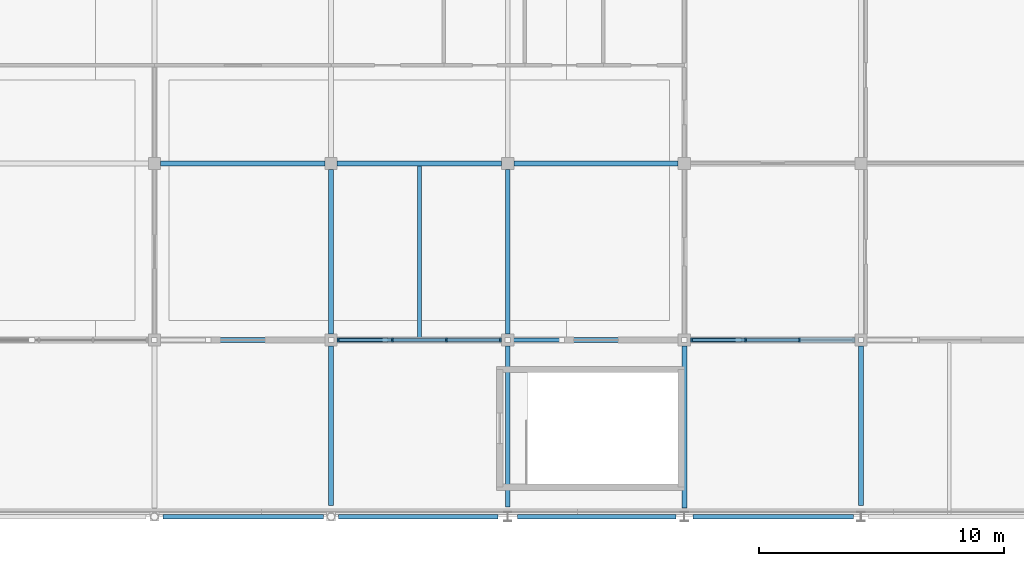
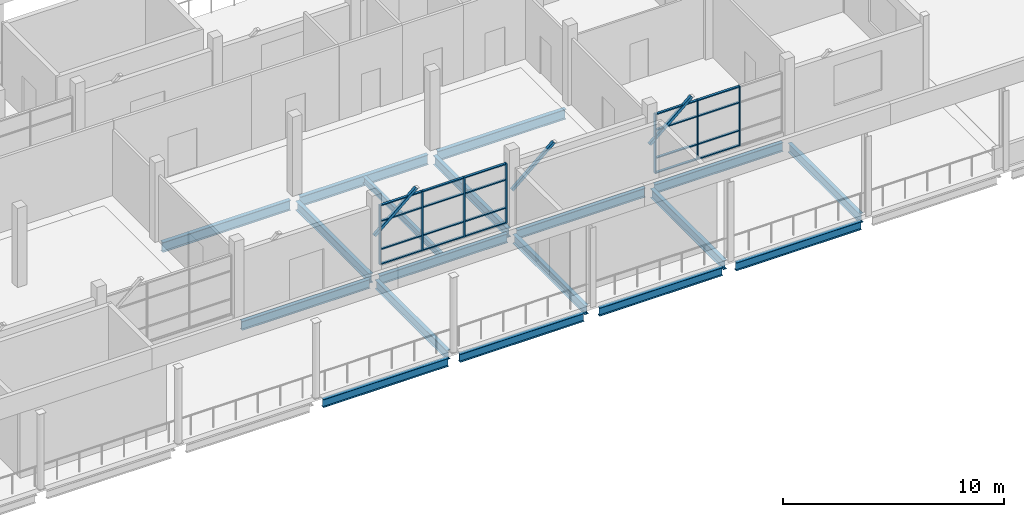
# One storey, part 9 of 32: 30 members, 18 beams, 2 elements without a shape of their own.
"""IFC4 building model written with IfcOpenShell, lengths in metres."""

from ifc_helpers import new_model, si_unit, direction, frame, origin, origin_2d, place, context, subcontext, project, spatial, rectangle, hollow_rectangle, i_section, extrude, material, material_profile, profile_set, type_object, element, aggregate, save


model = new_model("IFC4")

# Units and contexts
model_context = context("Model", 3, precision=1e-05, world=origin(), true_north=direction((0.0, 1.0)))
body_context = subcontext(model_context, "Body", "Model", "MODEL_VIEW")
ifc_project = project(units=[si_unit("LENGTHUNIT", "METRE"), si_unit("AREAUNIT", "SQUARE_METRE"), si_unit("VOLUMEUNIT", "CUBIC_METRE"), si_unit("PLANEANGLEUNIT", "RADIAN"), si_unit("MASSUNIT", "GRAM", prefix="KILO")], contexts=[model_context])

# Site, building, storey
site_placement = place(None, origin())
site = spatial("IfcSite", under=ifc_project, at=site_placement, CompositionType="ELEMENT")
building_placement = place(site_placement, origin())
building = spatial("IfcBuilding", under=site, at=building_placement, Name="Sardonyx Promenade Sports Hall", CompositionType="ELEMENT")
storey_placement = place(building_placement, frame((0.0, 0.0, 20.39990234375)))
storey = spatial("IfcBuildingStorey", under=building, at=storey_placement, Name="L04", CompositionType="ELEMENT", Elevation=20.39990234375)

# Beams
ifc_material_1 = material(Name="Steel S355JR", Category="steel")
ifc_material_profile_1 = material_profile(ifc_material_1, i_section(OverallWidth=0.169921875, OverallDepth=0.360107421875, WebThickness=0.008056640625, FlangeThickness=0.0126953125, at=origin_2d()))
ifc_profile_set_1 = profile_set([ifc_material_profile_1], Name="Steel S355JR")
beam_type_1 = type_object("IfcBeamType", Name="Bm_Joist_IPE360", PredefinedType="JOIST", material=ifc_profile_set_1)
beam_1_placement = place(storey_placement, frame((39.60009765625, 7.300048828125, -0.449951171875), z_axis=(0.0, 1.0, 0.0), x_axis=(-1.0, 0.0, 0.0)))
element("IfcBeam", 1, at=beam_1_placement, inside=storey, type_object=beam_type_1, Name="Secondary joist SJ05 L04 #1095", PredefinedType="JOIST", context=body_context, shape_type="SweptSolid", body=[
    extrude(i_section(OverallWidth=0.169921875, OverallDepth=0.360107421875, WebThickness=0.008056640625, FlangeThickness=0.0126953125, at=origin_2d()), origin(), (0.0, 0.0, 1.0), 6.994873046875),
])
ifc_material_2 = material(Name="Steel S355JR", Category="steel")
ifc_material_profile_2 = material_profile(ifc_material_2, i_section(OverallWidth=0.199951171875, OverallDepth=0.5, WebThickness=0.01025390625, FlangeThickness=0.01611328125, at=origin_2d()))
ifc_profile_set_2 = profile_set([ifc_material_profile_2], Name="Steel S355JR")
beam_type_2 = type_object("IfcBeamType", Name="Bm_Primary_IPE500", PredefinedType="BEAM", material=ifc_profile_set_2)
for number, where, z_axis, x_axis, name in (
    (2, (29.050048828125, 7.199951171875, -0.52001953125), (1.0, 0.0, 0.0), (0.0, 1.0, 0.0), "Beam SB06 L04 #955"),
    (3, (36.25, 7.199951171875, -0.52001953125), (1.0, 0.0, 0.0), (0.0, 1.0, 0.0), "Beam SB06 L04 #956"),
    (4, (43.449951171875, 7.199951171875, -0.52001953125), (1.0, 0.0, 0.0), (0.0, 1.0, 0.0), "Beam SB06 L04 #957"),
):
    element("IfcBeam", number, at=place(storey_placement, frame(where, z_axis=z_axis, x_axis=x_axis)), inside=storey, type_object=beam_type_2, Name=name, PredefinedType="BEAM", context=body_context, shape_type="SweptSolid", body=[
        extrude(i_section(OverallWidth=0.199951171875, OverallDepth=0.5, WebThickness=0.01025390625, FlangeThickness=0.01611328125, at=origin_2d()), origin(), (0.0, 0.0, 1.0), 6.699951171875),
    ])
beam_2_placement = place(storey_placement, frame((50.64990234375, 7.199951171875, -0.52001953125), z_axis=(1.0, 0.0, 0.0), x_axis=(0.0, 1.0, 0.0)))
element("IfcBeam", 5, at=beam_2_placement, inside=storey, type_object=beam_type_2, Name="Beam SB06 L04 #958", PredefinedType="BEAM", context=body_context, shape_type="SweptSolid", body=[
    extrude(i_section(OverallWidth=0.199951171875, OverallDepth=0.5, WebThickness=0.01025390625, FlangeThickness=0.01611328125, at=origin_2d()), origin(), (0.0, 0.0, 1.0), 6.7001953125),
])
beam_3_placement = place(storey_placement, frame((36.0, 0.449951171875, -0.510009765625), z_axis=(0.0, 1.0, 0.0), x_axis=(-1.0, 0.0, 0.0)))
element("IfcBeam", 6, at=beam_3_placement, inside=storey, type_object=beam_type_2, Name="Beam SB06 L04 #1048", PredefinedType="BEAM", context=body_context, shape_type="SweptSolid", body=[
    extrude(i_section(OverallWidth=0.199951171875, OverallDepth=0.5, WebThickness=0.01025390625, FlangeThickness=0.01611328125, at=origin_2d()), origin(), (0.0, 0.0, 1.0), 6.5),
])
beam_4_placement = place(storey_placement, frame((36.0, 7.449951171875, -0.52001953125), z_axis=(0.0, 1.0, 0.0), x_axis=(-1.0, 0.0, 0.0)))
element("IfcBeam", 7, at=beam_4_placement, inside=storey, type_object=beam_type_2, Name="Beam SB06 L04 #1049", PredefinedType="BEAM", context=body_context, shape_type="SweptSolid", body=[
    extrude(i_section(OverallWidth=0.199951171875, OverallDepth=0.5, WebThickness=0.01025390625, FlangeThickness=0.01611328125, at=origin_2d()), origin(), (0.0, 0.0, 1.0), 6.699951171875),
])
beam_5_placement = place(storey_placement, frame((43.199951171875, 0.39990234375, -0.510009765625), z_axis=(0.0, 1.0, 0.0), x_axis=(-1.0, 0.0, 0.0)))
element("IfcBeam", 8, at=beam_5_placement, inside=storey, type_object=beam_type_2, Name="Beam SB06 L04 #1052", PredefinedType="BEAM", context=body_context, shape_type="SweptSolid", body=[
    extrude(i_section(OverallWidth=0.199951171875, OverallDepth=0.5, WebThickness=0.01025390625, FlangeThickness=0.01611328125, at=origin_2d()), origin(), (0.0, 0.0, 1.0), 6.550048828125),
])
beam_6_placement = place(storey_placement, frame((43.199951171875, 7.449951171875, -0.52001953125), z_axis=(0.0, 1.0, 0.0), x_axis=(-1.0, 0.0, 0.0)))
element("IfcBeam", 9, at=beam_6_placement, inside=storey, type_object=beam_type_2, Name="Beam SB06 L04 #1053", PredefinedType="BEAM", context=body_context, shape_type="SweptSolid", body=[
    extrude(i_section(OverallWidth=0.199951171875, OverallDepth=0.5, WebThickness=0.01025390625, FlangeThickness=0.01611328125, at=origin_2d()), origin(), (0.0, 0.0, 1.0), 6.699951171875),
])
beam_7_placement = place(storey_placement, frame((50.39990234375, 0.35009765625, -0.510009765625), z_axis=(0.0, 1.0, 0.0), x_axis=(-1.0, 0.0, 0.0)))
element("IfcBeam", 10, at=beam_7_placement, inside=storey, type_object=beam_type_2, Name="Beam SB06 L04 #1056", PredefinedType="BEAM", context=body_context, shape_type="SweptSolid", body=[
    extrude(i_section(OverallWidth=0.199951171875, OverallDepth=0.5, WebThickness=0.01025390625, FlangeThickness=0.01611328125, at=origin_2d()), origin(), (0.0, 0.0, 1.0), 6.599853515625),
])
beam_8_placement = place(storey_placement, frame((57.60009765625, 0.449951171875, -0.510009765625), z_axis=(0.0, 1.0, 0.0), x_axis=(-1.0, 0.0, 0.0)))
element("IfcBeam", 11, at=beam_8_placement, inside=storey, type_object=beam_type_2, Name="Beam SB06 L04 #1060", PredefinedType="BEAM", context=body_context, shape_type="SweptSolid", body=[
    extrude(i_section(OverallWidth=0.199951171875, OverallDepth=0.5, WebThickness=0.01025390625, FlangeThickness=0.01611328125, at=origin_2d()), origin(), (0.0, 0.0, 1.0), 6.5),
])
ifc_material_3 = material(Name="Steel S355JR", Category="steel")
ifc_material_profile_3 = material_profile(ifc_material_3, i_section(OverallWidth=0.2099609375, OverallDepth=0.550048828125, WebThickness=0.010986328125, FlangeThickness=0.01708984375, at=origin_2d()))
ifc_profile_set_3 = profile_set([ifc_material_profile_3], Name="Steel S355JR")
beam_type_3 = type_object("IfcBeamType", Name="Bm_Primary_IPE550", PredefinedType="BEAM", material=ifc_profile_set_3)
for number, where, z_axis, x_axis, name in (
    (12, (29.050048828125, 14.39990234375, -0.544921875), (1.0, 0.0, 0.0), (0.0, 1.0, 0.0), "Beam SB03 L04 #970"),
    (13, (36.25, 14.39990234375, -0.544921875), (1.0, 0.0, 0.0), (0.0, 1.0, 0.0), "Beam SB03 L04 #971"),
    (14, (43.449951171875, 14.39990234375, -0.544921875), (1.0, 0.0, 0.0), (0.0, 1.0, 0.0), "Beam SB03 L04 #972"),
):
    element("IfcBeam", number, at=place(storey_placement, frame(where, z_axis=z_axis, x_axis=x_axis)), inside=storey, type_object=beam_type_3, Name=name, PredefinedType="BEAM", context=body_context, shape_type="SweptSolid", body=[
        extrude(i_section(OverallWidth=0.2099609375, OverallDepth=0.550048828125, WebThickness=0.010986328125, FlangeThickness=0.01708984375, at=origin_2d()), origin(), (0.0, 0.0, 1.0), 6.699951171875),
    ])
ifc_material_4 = material(Name="Steel S355JR", Category="steel")
ifc_material_profile_4 = material_profile(ifc_material_4, i_section(OverallWidth=0.18994140625, OverallDepth=0.449951171875, WebThickness=0.009521484375, FlangeThickness=0.0146484375, at=origin_2d()))
ifc_profile_set_4 = profile_set([ifc_material_profile_4], Name="Steel S355JR")
beam_type_4 = type_object("IfcBeamType", Name="Bm_Spandrel_Steel", PredefinedType="SPANDREL", material=ifc_profile_set_4)
beam_9_placement = place(storey_placement, frame((29.14990234375, 0.0, -0.48486328125), z_axis=(1.0, 0.0, 0.0), x_axis=(0.0, 1.0, 0.0)))
element("IfcBeam", 15, at=beam_9_placement, inside=storey, type_object=beam_type_4, Name="Beam SPB3 L04 #940", PredefinedType="SPANDREL", context=body_context, shape_type="SweptSolid", body=[
    extrude(i_section(OverallWidth=0.18994140625, OverallDepth=0.449951171875, WebThickness=0.009521484375, FlangeThickness=0.0146484375, at=origin_2d()), origin(), (0.0, 0.0, 1.0), 6.550048828125),
])
beam_10_placement = place(storey_placement, frame((36.300048828125, 0.0, -0.48486328125), z_axis=(1.0, 0.0, 0.0), x_axis=(0.0, 1.0, 0.0)))
element("IfcBeam", 16, at=beam_10_placement, inside=storey, type_object=beam_type_4, Name="Beam SPB3 L04 #941", PredefinedType="SPANDREL", context=body_context, shape_type="SweptSolid", body=[
    extrude(i_section(OverallWidth=0.18994140625, OverallDepth=0.449951171875, WebThickness=0.009521484375, FlangeThickness=0.0146484375, at=origin_2d()), origin(), (0.0, 0.0, 1.0), 6.5),
])
beam_11_placement = place(storey_placement, frame((43.60009765625, 0.0, -0.48486328125), z_axis=(1.0, 0.0, 0.0), x_axis=(0.0, 1.0, 0.0)))
element("IfcBeam", 17, at=beam_11_placement, inside=storey, type_object=beam_type_4, Name="Beam SPB3 L04 #942", PredefinedType="SPANDREL", context=body_context, shape_type="SweptSolid", body=[
    extrude(i_section(OverallWidth=0.18994140625, OverallDepth=0.449951171875, WebThickness=0.009521484375, FlangeThickness=0.0146484375, at=origin_2d()), origin(), (0.0, 0.0, 1.0), 6.449951171875),
])
beam_12_placement = place(storey_placement, frame((50.75, 0.0, -0.48486328125), z_axis=(1.0, 0.0, 0.0), x_axis=(0.0, 1.0, 0.0)))
element("IfcBeam", 18, at=beam_12_placement, inside=storey, type_object=beam_type_4, Name="Beam SPB3 L04 #943", PredefinedType="SPANDREL", context=body_context, shape_type="SweptSolid", body=[
    extrude(i_section(OverallWidth=0.18994140625, OverallDepth=0.449951171875, WebThickness=0.009521484375, FlangeThickness=0.0146484375, at=origin_2d()), origin(), (0.0, 0.0, 1.0), 6.550048828125),
])

# Curtain wall, members
ifc_material_5 = material(Name="Aluminium 6063-T6", Category="aluminium")
curtain_wall_type = type_object("IfcCurtainWallType", Name="CW_Pavilion_L04_640", PredefinedType="USERDEFINED", material=ifc_material_5)
curtain_wall_1_placement = place(storey_placement, origin())
curtain_wall_1 = element("IfcCurtainWall", 19, at=curtain_wall_1_placement, inside=storey, type_object=curtain_wall_type, Name="Curtain wall CW10 cw:L04:171", ObjectType="CURTAIN WALL", PredefinedType="USERDEFINED")
ifc_material_6 = material(Name="Aluminium 6063-T6", Category="aluminium")
ifc_material_profile_5 = material_profile(ifc_material_6, rectangle(XDim=0.06005859375, YDim=0.14990234375, at=origin_2d()))
ifc_profile_set_5 = profile_set([ifc_material_profile_5], Name="Aluminium 6063-T6")
member_type_1 = type_object("IfcMemberType", Name="CW_Mull_150", PredefinedType="MULLION", material=ifc_profile_set_5)
member_1_placement = place(storey_placement, frame((55.10009765625, 7.199951171875, 0.300048828125), z_axis=(0.0, 0.0, 1.0), x_axis=(-1.0, 0.0, 0.0)))
member_1 = element("IfcMember", 20, at=member_1_placement, type_object=member_type_1, Name="Mullion CM01 cw:L04:171 #2", PredefinedType="MULLION", context=body_context, shape_type="SweptSolid", body=[
    extrude(rectangle(XDim=0.06005859375, YDim=0.14990234375, at=origin_2d()), origin(), (0.0, 0.0, 1.0), 3.300048828125),
])
member_2_placement = place(storey_placement, frame((52.89990234375, 7.199951171875, 0.300048828125), z_axis=(0.0, 0.0, 1.0), x_axis=(-1.0, 0.0, 0.0)))
member_2 = element("IfcMember", 21, at=member_2_placement, type_object=member_type_1, Name="Mullion CM01 cw:L04:171 #3", PredefinedType="MULLION", context=body_context, shape_type="SweptSolid", body=[
    extrude(rectangle(XDim=0.06005859375, YDim=0.14990234375, at=origin_2d()), origin(), (0.0, 0.0, 1.0), 3.300048828125),
])
member_3_placement = place(storey_placement, frame((50.699951171875, 7.199951171875, 0.300048828125), z_axis=(0.0, 0.0, 1.0), x_axis=(-1.0, 0.0, 0.0)))
member_3 = element("IfcMember", 22, at=member_3_placement, type_object=member_type_1, Name="Mullion CM01 cw:L04:171 #4", PredefinedType="MULLION", context=body_context, shape_type="SweptSolid", body=[
    extrude(rectangle(XDim=0.06005859375, YDim=0.14990234375, at=origin_2d()), origin(), (0.0, 0.0, 1.0), 3.300048828125),
])

curtain_wall_2_placement = place(storey_placement, origin())
curtain_wall_2 = element("IfcCurtainWall", 23, at=curtain_wall_2_placement, inside=storey, type_object=curtain_wall_type, Name="Curtain wall CW10 cw:L04:172", ObjectType="CURTAIN WALL", PredefinedType="USERDEFINED")
member_4_placement = place(storey_placement, frame((42.89990234375, 7.199951171875, 0.300048828125), z_axis=(0.0, 0.0, 1.0), x_axis=(-1.0, 0.0, 0.0)))
member_4 = element("IfcMember", 24, at=member_4_placement, type_object=member_type_1, Name="Mullion CM01 cw:L04:172 #1", PredefinedType="MULLION", context=body_context, shape_type="SweptSolid", body=[
    extrude(rectangle(XDim=0.06005859375, YDim=0.14990234375, at=origin_2d()), origin(), (0.0, 0.0, 1.0), 3.300048828125),
])
member_5_placement = place(storey_placement, frame((40.699951171875, 7.199951171875, 0.300048828125), z_axis=(0.0, 0.0, 1.0), x_axis=(-1.0, 0.0, 0.0)))
member_5 = element("IfcMember", 25, at=member_5_placement, type_object=member_type_1, Name="Mullion CM01 cw:L04:172 #2", PredefinedType="MULLION", context=body_context, shape_type="SweptSolid", body=[
    extrude(rectangle(XDim=0.06005859375, YDim=0.14990234375, at=origin_2d()), origin(), (0.0, 0.0, 1.0), 3.300048828125),
])
member_6_placement = place(storey_placement, frame((38.5, 7.199951171875, 0.300048828125), z_axis=(0.0, 0.0, 1.0), x_axis=(-1.0, 0.0, 0.0)))
member_6 = element("IfcMember", 26, at=member_6_placement, type_object=member_type_1, Name="Mullion CM01 cw:L04:172 #3", PredefinedType="MULLION", context=body_context, shape_type="SweptSolid", body=[
    extrude(rectangle(XDim=0.06005859375, YDim=0.14990234375, at=origin_2d()), origin(), (0.0, 0.0, 1.0), 3.300048828125),
])
member_7_placement = place(storey_placement, frame((36.300048828125, 7.199951171875, 0.300048828125), z_axis=(0.0, 0.0, 1.0), x_axis=(-1.0, 0.0, 0.0)))
member_7 = element("IfcMember", 27, at=member_7_placement, type_object=member_type_1, Name="Mullion CM01 cw:L04:172 #4", PredefinedType="MULLION", context=body_context, shape_type="SweptSolid", body=[
    extrude(rectangle(XDim=0.06005859375, YDim=0.14990234375, at=origin_2d()), origin(), (0.0, 0.0, 1.0), 3.300048828125),
])

# Member
ifc_material_7 = material(Name="Aluminium 6063-T6", Category="aluminium")
ifc_material_profile_6 = material_profile(ifc_material_7, rectangle(XDim=0.06005859375, YDim=0.1201171875, at=origin_2d()))
ifc_profile_set_6 = profile_set([ifc_material_profile_6], Name="Aluminium 6063-T6")
member_type_2 = type_object("IfcMemberType", Name="CW_Tran_120", PredefinedType="USERDEFINED", material=ifc_profile_set_6)
member_8_placement = place(storey_placement, frame((55.070068359375, 7.199951171875, 0.330078125), z_axis=(-1.0, 0.0, 0.0), x_axis=(0.0, 0.0, 1.0)))
member_8 = element("IfcMember", 28, at=member_8_placement, type_object=member_type_2, Name="Transom CT01 cw:L04:171 #5", ObjectType="TRANSOM", PredefinedType="USERDEFINED", context=body_context, shape_type="SweptSolid", body=[
    extrude(rectangle(XDim=0.06005859375, YDim=0.1201171875, at=origin_2d()), origin(), (0.0, 0.0, 1.0), 2.14013671875),
])

member_9_placement = place(storey_placement, frame((55.070068359375, 7.199951171875, 1.150146484375), z_axis=(-1.0, 0.0, 0.0), x_axis=(0.0, 0.0, 1.0)))
member_9 = element("IfcMember", 29, at=member_9_placement, type_object=member_type_2, Name="Transom CT01 cw:L04:171 #6", ObjectType="TRANSOM", PredefinedType="USERDEFINED", context=body_context, shape_type="SweptSolid", body=[
    extrude(rectangle(XDim=0.06005859375, YDim=0.1201171875, at=origin_2d()), origin(), (0.0, 0.0, 1.0), 2.14013671875),
])

member_10_placement = place(storey_placement, frame((55.070068359375, 7.199951171875, 2.7001953125), z_axis=(-1.0, 0.0, 0.0), x_axis=(0.0, 0.0, 1.0)))
member_10 = element("IfcMember", 30, at=member_10_placement, type_object=member_type_2, Name="Transom CT01 cw:L04:171 #7", ObjectType="TRANSOM", PredefinedType="USERDEFINED", context=body_context, shape_type="SweptSolid", body=[
    extrude(rectangle(XDim=0.06005859375, YDim=0.1201171875, at=origin_2d()), origin(), (0.0, 0.0, 1.0), 2.14013671875),
])

member_11_placement = place(storey_placement, frame((55.070068359375, 7.199951171875, 3.570068359375), z_axis=(-1.0, 0.0, 0.0), x_axis=(0.0, 0.0, 1.0)))
member_11 = element("IfcMember", 31, at=member_11_placement, type_object=member_type_2, Name="Transom CT01 cw:L04:171 #8", ObjectType="TRANSOM", PredefinedType="USERDEFINED", context=body_context, shape_type="SweptSolid", body=[
    extrude(rectangle(XDim=0.06005859375, YDim=0.1201171875, at=origin_2d()), origin(), (0.0, 0.0, 1.0), 2.14013671875),
])

member_12_placement = place(storey_placement, frame((52.8701171875, 7.199951171875, 0.330078125), z_axis=(-1.0, 0.0, 0.0), x_axis=(0.0, 0.0, 1.0)))
member_12 = element("IfcMember", 32, at=member_12_placement, type_object=member_type_2, Name="Transom CT01 cw:L04:171 #9", ObjectType="TRANSOM", PredefinedType="USERDEFINED", context=body_context, shape_type="SweptSolid", body=[
    extrude(rectangle(XDim=0.06005859375, YDim=0.1201171875, at=origin_2d()), origin(), (0.0, 0.0, 1.0), 2.14013671875),
])

member_13_placement = place(storey_placement, frame((52.8701171875, 7.199951171875, 1.150146484375), z_axis=(-1.0, 0.0, 0.0), x_axis=(0.0, 0.0, 1.0)))
member_13 = element("IfcMember", 33, at=member_13_placement, type_object=member_type_2, Name="Transom CT01 cw:L04:171 #10", ObjectType="TRANSOM", PredefinedType="USERDEFINED", context=body_context, shape_type="SweptSolid", body=[
    extrude(rectangle(XDim=0.06005859375, YDim=0.1201171875, at=origin_2d()), origin(), (0.0, 0.0, 1.0), 2.14013671875),
])

member_14_placement = place(storey_placement, frame((52.8701171875, 7.199951171875, 2.7001953125), z_axis=(-1.0, 0.0, 0.0), x_axis=(0.0, 0.0, 1.0)))
member_14 = element("IfcMember", 34, at=member_14_placement, type_object=member_type_2, Name="Transom CT01 cw:L04:171 #11", ObjectType="TRANSOM", PredefinedType="USERDEFINED", context=body_context, shape_type="SweptSolid", body=[
    extrude(rectangle(XDim=0.06005859375, YDim=0.1201171875, at=origin_2d()), origin(), (0.0, 0.0, 1.0), 2.14013671875),
])

member_15_placement = place(storey_placement, frame((52.8701171875, 7.199951171875, 3.570068359375), z_axis=(-1.0, 0.0, 0.0), x_axis=(0.0, 0.0, 1.0)))
member_15 = element("IfcMember", 35, at=member_15_placement, type_object=member_type_2, Name="Transom CT01 cw:L04:171 #12", ObjectType="TRANSOM", PredefinedType="USERDEFINED", context=body_context, shape_type="SweptSolid", body=[
    extrude(rectangle(XDim=0.06005859375, YDim=0.1201171875, at=origin_2d()), origin(), (0.0, 0.0, 1.0), 2.14013671875),
])

aggregate(curtain_wall_1, [member_1, member_2, member_3, member_8, member_9, member_10, member_11, member_12, member_13, member_14, member_15])

member_16_placement = place(storey_placement, frame((42.8701171875, 7.199951171875, 0.330078125), z_axis=(-1.0, 0.0, 0.0), x_axis=(0.0, 0.0, 1.0)))
member_16 = element("IfcMember", 36, at=member_16_placement, type_object=member_type_2, Name="Transom CT01 cw:L04:172 #1", ObjectType="TRANSOM", PredefinedType="USERDEFINED", context=body_context, shape_type="SweptSolid", body=[
    extrude(rectangle(XDim=0.06005859375, YDim=0.1201171875, at=origin_2d()), origin(), (0.0, 0.0, 1.0), 2.14013671875),
])

member_17_placement = place(storey_placement, frame((42.8701171875, 7.199951171875, 1.150146484375), z_axis=(-1.0, 0.0, 0.0), x_axis=(0.0, 0.0, 1.0)))
member_17 = element("IfcMember", 37, at=member_17_placement, type_object=member_type_2, Name="Transom CT01 cw:L04:172 #2", ObjectType="TRANSOM", PredefinedType="USERDEFINED", context=body_context, shape_type="SweptSolid", body=[
    extrude(rectangle(XDim=0.06005859375, YDim=0.1201171875, at=origin_2d()), origin(), (0.0, 0.0, 1.0), 2.14013671875),
])

member_18_placement = place(storey_placement, frame((42.8701171875, 7.199951171875, 2.7001953125), z_axis=(-1.0, 0.0, 0.0), x_axis=(0.0, 0.0, 1.0)))
member_18 = element("IfcMember", 38, at=member_18_placement, type_object=member_type_2, Name="Transom CT01 cw:L04:172 #3", ObjectType="TRANSOM", PredefinedType="USERDEFINED", context=body_context, shape_type="SweptSolid", body=[
    extrude(rectangle(XDim=0.06005859375, YDim=0.1201171875, at=origin_2d()), origin(), (0.0, 0.0, 1.0), 2.14013671875),
])

member_19_placement = place(storey_placement, frame((42.8701171875, 7.199951171875, 3.570068359375), z_axis=(-1.0, 0.0, 0.0), x_axis=(0.0, 0.0, 1.0)))
member_19 = element("IfcMember", 39, at=member_19_placement, type_object=member_type_2, Name="Transom CT01 cw:L04:172 #4", ObjectType="TRANSOM", PredefinedType="USERDEFINED", context=body_context, shape_type="SweptSolid", body=[
    extrude(rectangle(XDim=0.06005859375, YDim=0.1201171875, at=origin_2d()), origin(), (0.0, 0.0, 1.0), 2.14013671875),
])

member_20_placement = place(storey_placement, frame((40.669921875, 7.199951171875, 0.330078125), z_axis=(-1.0, 0.0, 0.0), x_axis=(0.0, 0.0, 1.0)))
member_20 = element("IfcMember", 40, at=member_20_placement, type_object=member_type_2, Name="Transom CT01 cw:L04:172 #5", ObjectType="TRANSOM", PredefinedType="USERDEFINED", context=body_context, shape_type="SweptSolid", body=[
    extrude(rectangle(XDim=0.06005859375, YDim=0.1201171875, at=origin_2d()), origin(), (0.0, 0.0, 1.0), 2.139892578125),
])

member_21_placement = place(storey_placement, frame((40.669921875, 7.199951171875, 1.150146484375), z_axis=(-1.0, 0.0, 0.0), x_axis=(0.0, 0.0, 1.0)))
member_21 = element("IfcMember", 41, at=member_21_placement, type_object=member_type_2, Name="Transom CT01 cw:L04:172 #6", ObjectType="TRANSOM", PredefinedType="USERDEFINED", context=body_context, shape_type="SweptSolid", body=[
    extrude(rectangle(XDim=0.06005859375, YDim=0.1201171875, at=origin_2d()), origin(), (0.0, 0.0, 1.0), 2.139892578125),
])

member_22_placement = place(storey_placement, frame((40.669921875, 7.199951171875, 2.7001953125), z_axis=(-1.0, 0.0, 0.0), x_axis=(0.0, 0.0, 1.0)))
member_22 = element("IfcMember", 42, at=member_22_placement, type_object=member_type_2, Name="Transom CT01 cw:L04:172 #7", ObjectType="TRANSOM", PredefinedType="USERDEFINED", context=body_context, shape_type="SweptSolid", body=[
    extrude(rectangle(XDim=0.06005859375, YDim=0.1201171875, at=origin_2d()), origin(), (0.0, 0.0, 1.0), 2.139892578125),
])

member_23_placement = place(storey_placement, frame((40.669921875, 7.199951171875, 3.570068359375), z_axis=(-1.0, 0.0, 0.0), x_axis=(0.0, 0.0, 1.0)))
member_23 = element("IfcMember", 43, at=member_23_placement, type_object=member_type_2, Name="Transom CT01 cw:L04:172 #8", ObjectType="TRANSOM", PredefinedType="USERDEFINED", context=body_context, shape_type="SweptSolid", body=[
    extrude(rectangle(XDim=0.06005859375, YDim=0.1201171875, at=origin_2d()), origin(), (0.0, 0.0, 1.0), 2.139892578125),
])

member_24_placement = place(storey_placement, frame((38.469970703125, 7.199951171875, 0.330078125), z_axis=(-1.0, 0.0, 0.0), x_axis=(0.0, 0.0, 1.0)))
member_24 = element("IfcMember", 44, at=member_24_placement, type_object=member_type_2, Name="Transom CT01 cw:L04:172 #9", ObjectType="TRANSOM", PredefinedType="USERDEFINED", context=body_context, shape_type="SweptSolid", body=[
    extrude(rectangle(XDim=0.06005859375, YDim=0.1201171875, at=origin_2d()), origin(), (0.0, 0.0, 1.0), 2.139892578125),
])

member_25_placement = place(storey_placement, frame((38.469970703125, 7.199951171875, 1.150146484375), z_axis=(-1.0, 0.0, 0.0), x_axis=(0.0, 0.0, 1.0)))
member_25 = element("IfcMember", 45, at=member_25_placement, type_object=member_type_2, Name="Transom CT01 cw:L04:172 #10", ObjectType="TRANSOM", PredefinedType="USERDEFINED", context=body_context, shape_type="SweptSolid", body=[
    extrude(rectangle(XDim=0.06005859375, YDim=0.1201171875, at=origin_2d()), origin(), (0.0, 0.0, 1.0), 2.139892578125),
])

member_26_placement = place(storey_placement, frame((38.469970703125, 7.199951171875, 2.7001953125), z_axis=(-1.0, 0.0, 0.0), x_axis=(0.0, 0.0, 1.0)))
member_26 = element("IfcMember", 46, at=member_26_placement, type_object=member_type_2, Name="Transom CT01 cw:L04:172 #11", ObjectType="TRANSOM", PredefinedType="USERDEFINED", context=body_context, shape_type="SweptSolid", body=[
    extrude(rectangle(XDim=0.06005859375, YDim=0.1201171875, at=origin_2d()), origin(), (0.0, 0.0, 1.0), 2.139892578125),
])

member_27_placement = place(storey_placement, frame((38.469970703125, 7.199951171875, 3.570068359375), z_axis=(-1.0, 0.0, 0.0), x_axis=(0.0, 0.0, 1.0)))
member_27 = element("IfcMember", 47, at=member_27_placement, type_object=member_type_2, Name="Transom CT01 cw:L04:172 #12", ObjectType="TRANSOM", PredefinedType="USERDEFINED", context=body_context, shape_type="SweptSolid", body=[
    extrude(rectangle(XDim=0.06005859375, YDim=0.1201171875, at=origin_2d()), origin(), (0.0, 0.0, 1.0), 2.139892578125),
])

aggregate(curtain_wall_2, [member_4, member_5, member_6, member_7, member_16, member_17, member_18, member_19, member_20, member_21, member_22, member_23, member_24, member_25, member_26, member_27])

# Members
ifc_material_8 = material(Name="Steel S355JR", Category="steel")
ifc_material_profile_7 = material_profile(ifc_material_8, hollow_rectangle(XDim=0.14990234375, YDim=0.14990234375, WallThickness=0.008056640625, at=origin_2d()))
ifc_profile_set_7 = profile_set([ifc_material_profile_7], Name="Steel S355JR")
member_type_3 = type_object("IfcMemberType", Name="Mbr_Strut_SHS150", PredefinedType="STRUT", material=ifc_profile_set_7)
for number, where, z_axis, x_axis, name in (
    (48, (36.0, 7.199951171875, 2.0), (0.756790903627, 0.0, 0.653657041718), (0.0, 1.0, 0.0), "Pavilion roof knee-brace strut #20"),
    (49, (43.199951171875, 7.199951171875, 2.0), (0.756790903627, 0.0, 0.653657041718), (0.0, 1.0, 0.0), "Pavilion roof knee-brace strut #22"),
):
    element("IfcMember", number, at=place(storey_placement, frame(where, z_axis=z_axis, x_axis=x_axis)), inside=storey, type_object=member_type_3, Name=name, PredefinedType="STRUT", context=body_context, shape_type="SweptSolid", body=[
        extrude(hollow_rectangle(XDim=0.14990234375, YDim=0.14990234375, WallThickness=0.008056640625, at=origin_2d()), origin(), (0.0, 0.0, 1.0), 2.906982421875),
    ])
member_28_placement = place(storey_placement, frame((50.39990234375, 7.199951171875, 2.0), z_axis=(0.756826784367, 0.0, 0.653615497418), x_axis=(0.0, 1.0, 0.0)))
element("IfcMember", 50, at=member_28_placement, inside=storey, type_object=member_type_3, Name="Pavilion roof knee-brace strut #24", PredefinedType="STRUT", context=body_context, shape_type="SweptSolid", body=[
    extrude(hollow_rectangle(XDim=0.14990234375, YDim=0.14990234375, WallThickness=0.008056640625, at=origin_2d()), origin(), (0.0, 0.0, 1.0), 2.9072265625),
])

save(model, "model.ifc")
